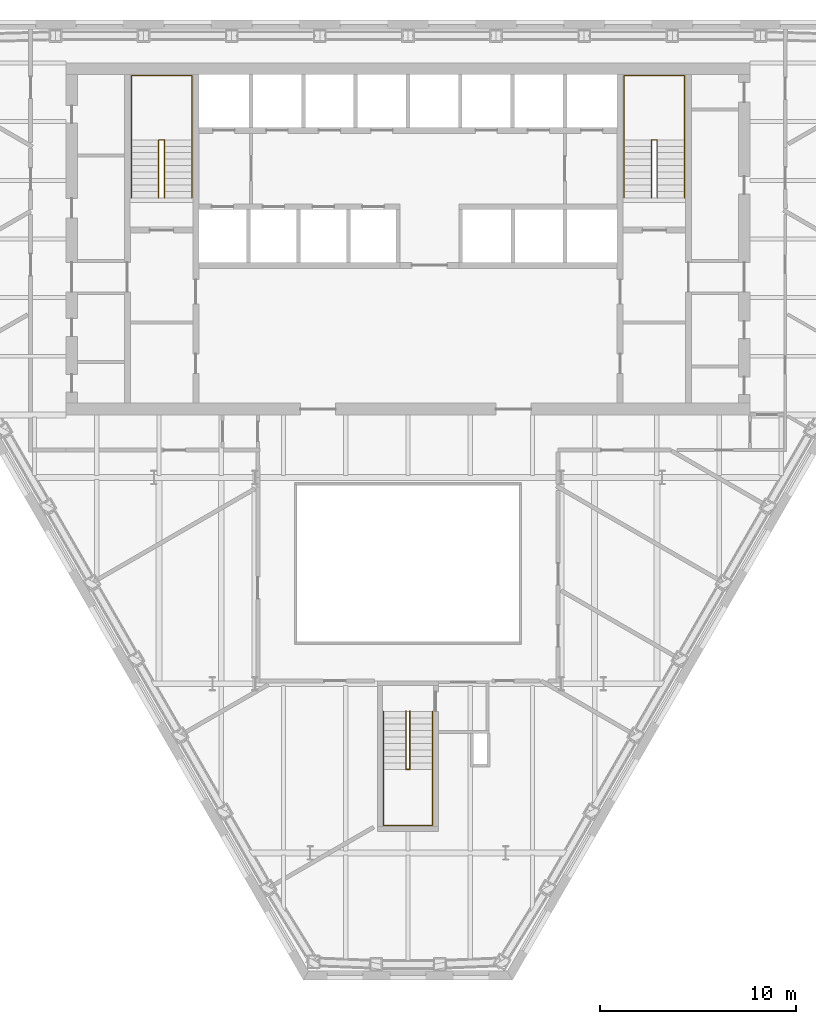
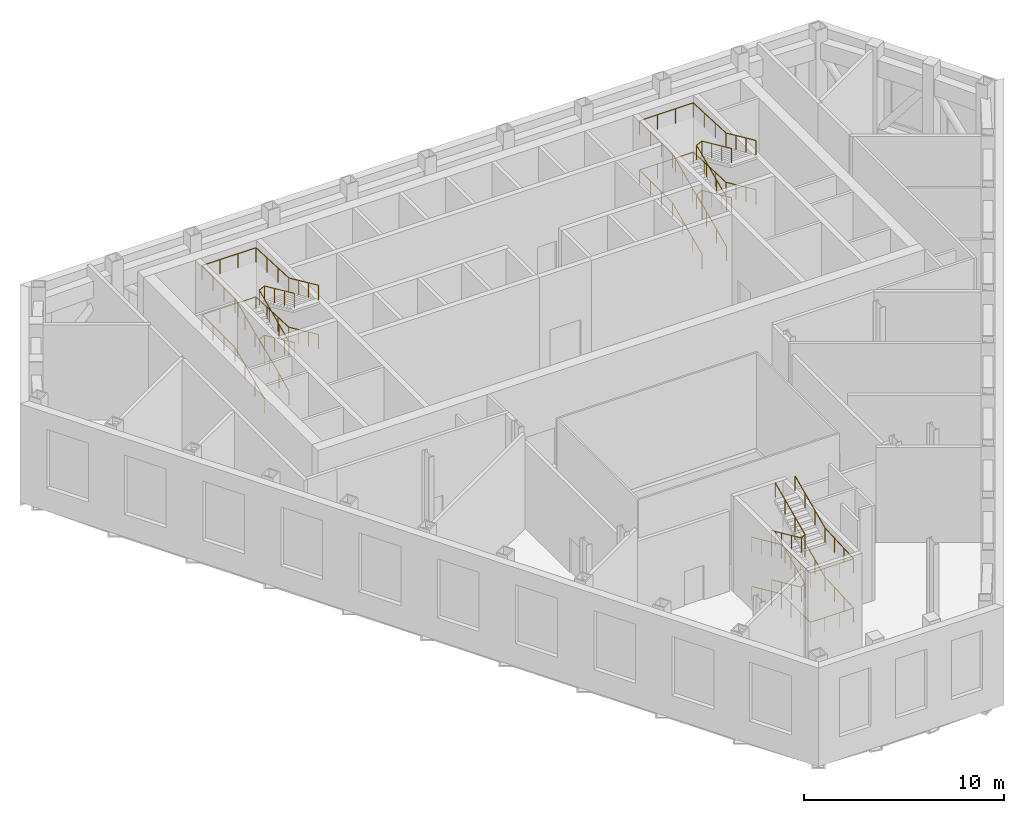
# One storey, part 14 of 14: 12 railings.
"""IFC4 building model written with IfcOpenShell, lengths in metres."""

from ifc_helpers import new_model, si_unit, direction, frame, origin, origin_2d, place, context, subcontext, project, spatial, circle, extrude, material, type_object, element, save


model = new_model("IFC4")

# Units and contexts
model_context = context("Model", 3, precision=1e-05, world=origin(), true_north=direction((0.0, 1.0)))
body_context = subcontext(model_context, "Body", "Model", "MODEL_VIEW")
ifc_project = project(units=[si_unit("LENGTHUNIT", "METRE"), si_unit("AREAUNIT", "SQUARE_METRE"), si_unit("VOLUMEUNIT", "CUBIC_METRE"), si_unit("PLANEANGLEUNIT", "RADIAN"), si_unit("MASSUNIT", "GRAM", prefix="KILO")], contexts=[model_context])

# Site, building, storey
site_placement = place(None, origin())
site = spatial("IfcSite", under=ifc_project, at=site_placement, CompositionType="ELEMENT")
building_placement = place(site_placement, origin())
building = spatial("IfcBuilding", under=site, at=building_placement, Name="Njiva Tower", CompositionType="ELEMENT")
storey_placement = place(building_placement, frame((0.0, 0.0, 78.3)))
storey = spatial("IfcBuildingStorey", under=building, at=storey_placement, Name="L16", CompositionType="ELEMENT", Elevation=78.3)

# Railings
ifc_material = material(Name="Stainless steel", Category="steel")
railing_type = type_object("IfcRailingType", Name="RL1 Stair handrail 900", PredefinedType="HANDRAIL", material=ifc_material)
railing_1_placement = place(storey_placement, frame((-14.15, 11.1, 0.15)))
element("IfcRailing", 1, at=railing_1_placement, inside=storey, type_object=railing_type, Name="Stair A handrail", PredefinedType="HANDRAIL", context=body_context, shape_type="SweptSolid", body=[
    extrude(circle(Radius=0.024, at=origin_2d()), frame((0.0, 0.0, 0.876), z_axis=(0.0, 0.910366477463, 0.413802944301), x_axis=(-1.0, 0.0, 0.0)), (0.0, 0.0, 1.0), 3.2624),
    extrude(circle(Radius=0.024, at=origin_2d()), frame((0.0, 2.97, 2.226), z_axis=(0.0, 1.0, 0.0), x_axis=(-1.0, 0.0, 0.0)), (0.0, 0.0, 1.0), 3.28),
    extrude(circle(Radius=0.024, at=origin_2d()), frame((0.0, 6.25, 2.226), z_axis=(1.0, 0.0, 0.0), x_axis=(0.0, 1.0, 0.0)), (0.0, 0.0, 1.0), 3.1),
    extrude(circle(Radius=0.024, at=origin_2d()), frame((3.1, 6.25, 2.226), z_axis=(0.0, -0.998955942835, 0.0456839608), x_axis=(1.0, 0.0, 0.0)), (0.0, 0.0, 1.0), 3.2834),
    extrude(circle(Radius=0.024, at=origin_2d()), frame((3.1, 2.97, 2.376), z_axis=(0.0, -0.910366477463, 0.413802944301), x_axis=(1.0, 0.0, 0.0)), (0.0, 0.0, 1.0), 3.2624),
    extrude(circle(Radius=0.021, at=origin_2d()), origin(), (0.0, 0.0, 1.0), 0.852),
    extrude(circle(Radius=0.021, at=origin_2d()), frame((0.0, 0.99, 0.45)), (0.0, 0.0, 1.0), 0.852),
    extrude(circle(Radius=0.021, at=origin_2d()), frame((0.0, 1.98, 0.9)), (0.0, 0.0, 1.0), 0.852),
    extrude(circle(Radius=0.021, at=origin_2d()), frame((0.0, 2.97, 1.35)), (0.0, 0.0, 1.0), 0.852),
    extrude(circle(Radius=0.021, at=origin_2d()), frame((0.0, 4.0633, 1.35)), (0.0, 0.0, 1.0), 0.852),
    extrude(circle(Radius=0.021, at=origin_2d()), frame((0.0, 5.1567, 1.35)), (0.0, 0.0, 1.0), 0.852),
    extrude(circle(Radius=0.021, at=origin_2d()), frame((0.0, 6.25, 1.35)), (0.0, 0.0, 1.0), 0.852),
    extrude(circle(Radius=0.021, at=origin_2d()), frame((1.0333, 6.25, 1.35)), (0.0, 0.0, 1.0), 0.852),
    extrude(circle(Radius=0.021, at=origin_2d()), frame((2.0667, 6.25, 1.35)), (0.0, 0.0, 1.0), 0.852),
    extrude(circle(Radius=0.021, at=origin_2d()), frame((3.1, 6.25, 1.35)), (0.0, 0.0, 1.0), 0.852),
    extrude(circle(Radius=0.021, at=origin_2d()), frame((3.1, 5.1567, 1.4)), (0.0, 0.0, 1.0), 0.852),
    extrude(circle(Radius=0.021, at=origin_2d()), frame((3.1, 4.0633, 1.45)), (0.0, 0.0, 1.0), 0.852),
    extrude(circle(Radius=0.021, at=origin_2d()), frame((3.1, 2.97, 1.5)), (0.0, 0.0, 1.0), 0.852),
    extrude(circle(Radius=0.021, at=origin_2d()), frame((3.1, 1.98, 1.95)), (0.0, 0.0, 1.0), 0.852),
    extrude(circle(Radius=0.021, at=origin_2d()), frame((3.1, 0.99, 2.4)), (0.0, 0.0, 1.0), 0.852),
    extrude(circle(Radius=0.021, at=origin_2d()), frame((3.1, 0.0, 2.85)), (0.0, 0.0, 1.0), 0.852),
])
railing_2_placement = place(storey_placement, frame((-12.75, 11.1, 0.15)))
element("IfcRailing", 2, at=railing_2_placement, inside=storey, type_object=railing_type, Name="Stair A handrail", PredefinedType="HANDRAIL", context=body_context, shape_type="SweptSolid", body=[
    extrude(circle(Radius=0.024, at=origin_2d()), frame((0.0, 0.0, 0.876), z_axis=(0.0, 0.910366477463, 0.413802944301), x_axis=(-1.0, 0.0, 0.0)), (0.0, 0.0, 1.0), 3.2624),
    extrude(circle(Radius=0.024, at=origin_2d()), frame((0.0, 2.97, 2.226), z_axis=(0.894427191, 0.0, 0.4472135955), x_axis=(0.0, 1.0, 0.0)), (0.0, 0.0, 1.0), 0.3354),
    extrude(circle(Radius=0.024, at=origin_2d()), frame((0.3, 2.97, 2.376), z_axis=(0.0, -0.910366477463, 0.413802944301), x_axis=(1.0, 0.0, 0.0)), (0.0, 0.0, 1.0), 3.2624),
    extrude(circle(Radius=0.021, at=origin_2d()), origin(), (0.0, 0.0, 1.0), 0.852),
    extrude(circle(Radius=0.021, at=origin_2d()), frame((0.0, 0.99, 0.45)), (0.0, 0.0, 1.0), 0.852),
    extrude(circle(Radius=0.021, at=origin_2d()), frame((0.0, 1.98, 0.9)), (0.0, 0.0, 1.0), 0.852),
    extrude(circle(Radius=0.021, at=origin_2d()), frame((0.0, 2.97, 1.35)), (0.0, 0.0, 1.0), 0.852),
    extrude(circle(Radius=0.021, at=origin_2d()), frame((0.3, 2.97, 1.5)), (0.0, 0.0, 1.0), 0.852),
    extrude(circle(Radius=0.021, at=origin_2d()), frame((0.3, 1.98, 1.95)), (0.0, 0.0, 1.0), 0.852),
    extrude(circle(Radius=0.021, at=origin_2d()), frame((0.3, 0.99, 2.4)), (0.0, 0.0, 1.0), 0.852),
    extrude(circle(Radius=0.021, at=origin_2d()), frame((0.3, 0.0, 2.85)), (0.0, 0.0, 1.0), 0.852),
])
railing_3_placement = place(storey_placement, frame((-14.15, 11.1, 3.15)))
element("IfcRailing", 3, at=railing_3_placement, inside=storey, type_object=railing_type, Name="Stair A handrail", PredefinedType="HANDRAIL", context=body_context, shape_type="SweptSolid", body=[
    extrude(circle(Radius=0.024, at=origin_2d()), frame((0.0, 0.0, 0.876), z_axis=(0.0, 0.910366477463, 0.413802944301), x_axis=(-1.0, 0.0, 0.0)), (0.0, 0.0, 1.0), 3.2624),
    extrude(circle(Radius=0.024, at=origin_2d()), frame((0.0, 2.97, 2.226), z_axis=(0.0, 1.0, 0.0), x_axis=(-1.0, 0.0, 0.0)), (0.0, 0.0, 1.0), 3.28),
    extrude(circle(Radius=0.024, at=origin_2d()), frame((0.0, 6.25, 2.226), z_axis=(1.0, 0.0, 0.0), x_axis=(0.0, 1.0, 0.0)), (0.0, 0.0, 1.0), 3.1),
    extrude(circle(Radius=0.024, at=origin_2d()), frame((3.1, 6.25, 2.226), z_axis=(0.0, -0.998955942835, 0.0456839608), x_axis=(1.0, 0.0, 0.0)), (0.0, 0.0, 1.0), 3.2834),
    extrude(circle(Radius=0.024, at=origin_2d()), frame((3.1, 2.97, 2.376), z_axis=(0.0, -0.910366477463, 0.413802944301), x_axis=(1.0, 0.0, 0.0)), (0.0, 0.0, 1.0), 3.2624),
    extrude(circle(Radius=0.021, at=origin_2d()), origin(), (0.0, 0.0, 1.0), 0.852),
    extrude(circle(Radius=0.021, at=origin_2d()), frame((0.0, 0.99, 0.45)), (0.0, 0.0, 1.0), 0.852),
    extrude(circle(Radius=0.021, at=origin_2d()), frame((0.0, 1.98, 0.9)), (0.0, 0.0, 1.0), 0.852),
    extrude(circle(Radius=0.021, at=origin_2d()), frame((0.0, 2.97, 1.35)), (0.0, 0.0, 1.0), 0.852),
    extrude(circle(Radius=0.021, at=origin_2d()), frame((0.0, 4.0633, 1.35)), (0.0, 0.0, 1.0), 0.852),
    extrude(circle(Radius=0.021, at=origin_2d()), frame((0.0, 5.1567, 1.35)), (0.0, 0.0, 1.0), 0.852),
    extrude(circle(Radius=0.021, at=origin_2d()), frame((0.0, 6.25, 1.35)), (0.0, 0.0, 1.0), 0.852),
    extrude(circle(Radius=0.021, at=origin_2d()), frame((1.0333, 6.25, 1.35)), (0.0, 0.0, 1.0), 0.852),
    extrude(circle(Radius=0.021, at=origin_2d()), frame((2.0667, 6.25, 1.35)), (0.0, 0.0, 1.0), 0.852),
    extrude(circle(Radius=0.021, at=origin_2d()), frame((3.1, 6.25, 1.35)), (0.0, 0.0, 1.0), 0.852),
    extrude(circle(Radius=0.021, at=origin_2d()), frame((3.1, 5.1567, 1.4)), (0.0, 0.0, 1.0), 0.852),
    extrude(circle(Radius=0.021, at=origin_2d()), frame((3.1, 4.0633, 1.45)), (0.0, 0.0, 1.0), 0.852),
    extrude(circle(Radius=0.021, at=origin_2d()), frame((3.1, 2.97, 1.5)), (0.0, 0.0, 1.0), 0.852),
    extrude(circle(Radius=0.021, at=origin_2d()), frame((3.1, 1.98, 1.95)), (0.0, 0.0, 1.0), 0.852),
    extrude(circle(Radius=0.021, at=origin_2d()), frame((3.1, 0.99, 2.4)), (0.0, 0.0, 1.0), 0.852),
    extrude(circle(Radius=0.021, at=origin_2d()), frame((3.1, 0.0, 2.85)), (0.0, 0.0, 1.0), 0.852),
])
railing_4_placement = place(storey_placement, frame((-12.75, 11.1, 3.15)))
element("IfcRailing", 4, at=railing_4_placement, inside=storey, type_object=railing_type, Name="Stair A handrail", PredefinedType="HANDRAIL", context=body_context, shape_type="SweptSolid", body=[
    extrude(circle(Radius=0.024, at=origin_2d()), frame((0.0, 0.0, 0.876), z_axis=(0.0, 0.910366477463, 0.413802944301), x_axis=(-1.0, 0.0, 0.0)), (0.0, 0.0, 1.0), 3.2624),
    extrude(circle(Radius=0.024, at=origin_2d()), frame((0.0, 2.97, 2.226), z_axis=(0.894427191, 0.0, 0.4472135955), x_axis=(0.0, 1.0, 0.0)), (0.0, 0.0, 1.0), 0.3354),
    extrude(circle(Radius=0.024, at=origin_2d()), frame((0.3, 2.97, 2.376), z_axis=(0.0, -0.910366477463, 0.413802944301), x_axis=(1.0, 0.0, 0.0)), (0.0, 0.0, 1.0), 3.2624),
    extrude(circle(Radius=0.021, at=origin_2d()), origin(), (0.0, 0.0, 1.0), 0.852),
    extrude(circle(Radius=0.021, at=origin_2d()), frame((0.0, 0.99, 0.45)), (0.0, 0.0, 1.0), 0.852),
    extrude(circle(Radius=0.021, at=origin_2d()), frame((0.0, 1.98, 0.9)), (0.0, 0.0, 1.0), 0.852),
    extrude(circle(Radius=0.021, at=origin_2d()), frame((0.0, 2.97, 1.35)), (0.0, 0.0, 1.0), 0.852),
    extrude(circle(Radius=0.021, at=origin_2d()), frame((0.3, 2.97, 1.5)), (0.0, 0.0, 1.0), 0.852),
    extrude(circle(Radius=0.021, at=origin_2d()), frame((0.3, 1.98, 1.95)), (0.0, 0.0, 1.0), 0.852),
    extrude(circle(Radius=0.021, at=origin_2d()), frame((0.3, 0.99, 2.4)), (0.0, 0.0, 1.0), 0.852),
    extrude(circle(Radius=0.021, at=origin_2d()), frame((0.3, 0.0, 2.85)), (0.0, 0.0, 1.0), 0.852),
])
railing_5_placement = place(storey_placement, frame((11.05, 11.1, 0.15)))
element("IfcRailing", 5, at=railing_5_placement, inside=storey, type_object=railing_type, Name="Stair B handrail", PredefinedType="HANDRAIL", context=body_context, shape_type="SweptSolid", body=[
    extrude(circle(Radius=0.024, at=origin_2d()), frame((0.0, 0.0, 0.876), z_axis=(0.0, 0.910366477463, 0.413802944301), x_axis=(-1.0, 0.0, 0.0)), (0.0, 0.0, 1.0), 3.2624),
    extrude(circle(Radius=0.024, at=origin_2d()), frame((0.0, 2.97, 2.226), z_axis=(0.0, 1.0, 0.0), x_axis=(-1.0, 0.0, 0.0)), (0.0, 0.0, 1.0), 3.28),
    extrude(circle(Radius=0.024, at=origin_2d()), frame((0.0, 6.25, 2.226), z_axis=(1.0, 0.0, 0.0), x_axis=(0.0, 1.0, 0.0)), (0.0, 0.0, 1.0), 3.1),
    extrude(circle(Radius=0.024, at=origin_2d()), frame((3.1, 6.25, 2.226), z_axis=(0.0, -0.998955942835, 0.0456839608), x_axis=(1.0, 0.0, 0.0)), (0.0, 0.0, 1.0), 3.2834),
    extrude(circle(Radius=0.024, at=origin_2d()), frame((3.1, 2.97, 2.376), z_axis=(0.0, -0.910366477463, 0.413802944301), x_axis=(1.0, 0.0, 0.0)), (0.0, 0.0, 1.0), 3.2624),
    extrude(circle(Radius=0.021, at=origin_2d()), origin(), (0.0, 0.0, 1.0), 0.852),
    extrude(circle(Radius=0.021, at=origin_2d()), frame((0.0, 0.99, 0.45)), (0.0, 0.0, 1.0), 0.852),
    extrude(circle(Radius=0.021, at=origin_2d()), frame((0.0, 1.98, 0.9)), (0.0, 0.0, 1.0), 0.852),
    extrude(circle(Radius=0.021, at=origin_2d()), frame((0.0, 2.97, 1.35)), (0.0, 0.0, 1.0), 0.852),
    extrude(circle(Radius=0.021, at=origin_2d()), frame((0.0, 4.0633, 1.35)), (0.0, 0.0, 1.0), 0.852),
    extrude(circle(Radius=0.021, at=origin_2d()), frame((0.0, 5.1567, 1.35)), (0.0, 0.0, 1.0), 0.852),
    extrude(circle(Radius=0.021, at=origin_2d()), frame((0.0, 6.25, 1.35)), (0.0, 0.0, 1.0), 0.852),
    extrude(circle(Radius=0.021, at=origin_2d()), frame((1.0333, 6.25, 1.35)), (0.0, 0.0, 1.0), 0.852),
    extrude(circle(Radius=0.021, at=origin_2d()), frame((2.0667, 6.25, 1.35)), (0.0, 0.0, 1.0), 0.852),
    extrude(circle(Radius=0.021, at=origin_2d()), frame((3.1, 6.25, 1.35)), (0.0, 0.0, 1.0), 0.852),
    extrude(circle(Radius=0.021, at=origin_2d()), frame((3.1, 5.1567, 1.4)), (0.0, 0.0, 1.0), 0.852),
    extrude(circle(Radius=0.021, at=origin_2d()), frame((3.1, 4.0633, 1.45)), (0.0, 0.0, 1.0), 0.852),
    extrude(circle(Radius=0.021, at=origin_2d()), frame((3.1, 2.97, 1.5)), (0.0, 0.0, 1.0), 0.852),
    extrude(circle(Radius=0.021, at=origin_2d()), frame((3.1, 1.98, 1.95)), (0.0, 0.0, 1.0), 0.852),
    extrude(circle(Radius=0.021, at=origin_2d()), frame((3.1, 0.99, 2.4)), (0.0, 0.0, 1.0), 0.852),
    extrude(circle(Radius=0.021, at=origin_2d()), frame((3.1, 0.0, 2.85)), (0.0, 0.0, 1.0), 0.852),
])
railing_6_placement = place(storey_placement, frame((12.45, 11.1, 0.15)))
element("IfcRailing", 6, at=railing_6_placement, inside=storey, type_object=railing_type, Name="Stair B handrail", PredefinedType="HANDRAIL", context=body_context, shape_type="SweptSolid", body=[
    extrude(circle(Radius=0.024, at=origin_2d()), frame((0.0, 0.0, 0.876), z_axis=(0.0, 0.910366477463, 0.413802944301), x_axis=(-1.0, 0.0, 0.0)), (0.0, 0.0, 1.0), 3.2624),
    extrude(circle(Radius=0.024, at=origin_2d()), frame((0.0, 2.97, 2.226), z_axis=(0.894427191, 0.0, 0.4472135955), x_axis=(0.0, 1.0, 0.0)), (0.0, 0.0, 1.0), 0.3354),
    extrude(circle(Radius=0.024, at=origin_2d()), frame((0.3, 2.97, 2.376), z_axis=(0.0, -0.910366477463, 0.413802944301), x_axis=(1.0, 0.0, 0.0)), (0.0, 0.0, 1.0), 3.2624),
    extrude(circle(Radius=0.021, at=origin_2d()), origin(), (0.0, 0.0, 1.0), 0.852),
    extrude(circle(Radius=0.021, at=origin_2d()), frame((0.0, 0.99, 0.45)), (0.0, 0.0, 1.0), 0.852),
    extrude(circle(Radius=0.021, at=origin_2d()), frame((0.0, 1.98, 0.9)), (0.0, 0.0, 1.0), 0.852),
    extrude(circle(Radius=0.021, at=origin_2d()), frame((0.0, 2.97, 1.35)), (0.0, 0.0, 1.0), 0.852),
    extrude(circle(Radius=0.021, at=origin_2d()), frame((0.3, 2.97, 1.5)), (0.0, 0.0, 1.0), 0.852),
    extrude(circle(Radius=0.021, at=origin_2d()), frame((0.3, 1.98, 1.95)), (0.0, 0.0, 1.0), 0.852),
    extrude(circle(Radius=0.021, at=origin_2d()), frame((0.3, 0.99, 2.4)), (0.0, 0.0, 1.0), 0.852),
    extrude(circle(Radius=0.021, at=origin_2d()), frame((0.3, 0.0, 2.85)), (0.0, 0.0, 1.0), 0.852),
])
railing_7_placement = place(storey_placement, frame((11.05, 11.1, 3.15)))
element("IfcRailing", 7, at=railing_7_placement, inside=storey, type_object=railing_type, Name="Stair B handrail", PredefinedType="HANDRAIL", context=body_context, shape_type="SweptSolid", body=[
    extrude(circle(Radius=0.024, at=origin_2d()), frame((0.0, 0.0, 0.876), z_axis=(0.0, 0.910366477463, 0.413802944301), x_axis=(-1.0, 0.0, 0.0)), (0.0, 0.0, 1.0), 3.2624),
    extrude(circle(Radius=0.024, at=origin_2d()), frame((0.0, 2.97, 2.226), z_axis=(0.0, 1.0, 0.0), x_axis=(-1.0, 0.0, 0.0)), (0.0, 0.0, 1.0), 3.28),
    extrude(circle(Radius=0.024, at=origin_2d()), frame((0.0, 6.25, 2.226), z_axis=(1.0, 0.0, 0.0), x_axis=(0.0, 1.0, 0.0)), (0.0, 0.0, 1.0), 3.1),
    extrude(circle(Radius=0.024, at=origin_2d()), frame((3.1, 6.25, 2.226), z_axis=(0.0, -0.998955942835, 0.0456839608), x_axis=(1.0, 0.0, 0.0)), (0.0, 0.0, 1.0), 3.2834),
    extrude(circle(Radius=0.024, at=origin_2d()), frame((3.1, 2.97, 2.376), z_axis=(0.0, -0.910366477463, 0.413802944301), x_axis=(1.0, 0.0, 0.0)), (0.0, 0.0, 1.0), 3.2624),
    extrude(circle(Radius=0.021, at=origin_2d()), origin(), (0.0, 0.0, 1.0), 0.852),
    extrude(circle(Radius=0.021, at=origin_2d()), frame((0.0, 0.99, 0.45)), (0.0, 0.0, 1.0), 0.852),
    extrude(circle(Radius=0.021, at=origin_2d()), frame((0.0, 1.98, 0.9)), (0.0, 0.0, 1.0), 0.852),
    extrude(circle(Radius=0.021, at=origin_2d()), frame((0.0, 2.97, 1.35)), (0.0, 0.0, 1.0), 0.852),
    extrude(circle(Radius=0.021, at=origin_2d()), frame((0.0, 4.0633, 1.35)), (0.0, 0.0, 1.0), 0.852),
    extrude(circle(Radius=0.021, at=origin_2d()), frame((0.0, 5.1567, 1.35)), (0.0, 0.0, 1.0), 0.852),
    extrude(circle(Radius=0.021, at=origin_2d()), frame((0.0, 6.25, 1.35)), (0.0, 0.0, 1.0), 0.852),
    extrude(circle(Radius=0.021, at=origin_2d()), frame((1.0333, 6.25, 1.35)), (0.0, 0.0, 1.0), 0.852),
    extrude(circle(Radius=0.021, at=origin_2d()), frame((2.0667, 6.25, 1.35)), (0.0, 0.0, 1.0), 0.852),
    extrude(circle(Radius=0.021, at=origin_2d()), frame((3.1, 6.25, 1.35)), (0.0, 0.0, 1.0), 0.852),
    extrude(circle(Radius=0.021, at=origin_2d()), frame((3.1, 5.1567, 1.4)), (0.0, 0.0, 1.0), 0.852),
    extrude(circle(Radius=0.021, at=origin_2d()), frame((3.1, 4.0633, 1.45)), (0.0, 0.0, 1.0), 0.852),
    extrude(circle(Radius=0.021, at=origin_2d()), frame((3.1, 2.97, 1.5)), (0.0, 0.0, 1.0), 0.852),
    extrude(circle(Radius=0.021, at=origin_2d()), frame((3.1, 1.98, 1.95)), (0.0, 0.0, 1.0), 0.852),
    extrude(circle(Radius=0.021, at=origin_2d()), frame((3.1, 0.99, 2.4)), (0.0, 0.0, 1.0), 0.852),
    extrude(circle(Radius=0.021, at=origin_2d()), frame((3.1, 0.0, 2.85)), (0.0, 0.0, 1.0), 0.852),
])
railing_8_placement = place(storey_placement, frame((12.45, 11.1, 3.15)))
element("IfcRailing", 8, at=railing_8_placement, inside=storey, type_object=railing_type, Name="Stair B handrail", PredefinedType="HANDRAIL", context=body_context, shape_type="SweptSolid", body=[
    extrude(circle(Radius=0.024, at=origin_2d()), frame((0.0, 0.0, 0.876), z_axis=(0.0, 0.910366477463, 0.413802944301), x_axis=(-1.0, 0.0, 0.0)), (0.0, 0.0, 1.0), 3.2624),
    extrude(circle(Radius=0.024, at=origin_2d()), frame((0.0, 2.97, 2.226), z_axis=(0.894427191, 0.0, 0.4472135955), x_axis=(0.0, 1.0, 0.0)), (0.0, 0.0, 1.0), 0.3354),
    extrude(circle(Radius=0.024, at=origin_2d()), frame((0.3, 2.97, 2.376), z_axis=(0.0, -0.910366477463, 0.413802944301), x_axis=(1.0, 0.0, 0.0)), (0.0, 0.0, 1.0), 3.2624),
    extrude(circle(Radius=0.021, at=origin_2d()), origin(), (0.0, 0.0, 1.0), 0.852),
    extrude(circle(Radius=0.021, at=origin_2d()), frame((0.0, 0.99, 0.45)), (0.0, 0.0, 1.0), 0.852),
    extrude(circle(Radius=0.021, at=origin_2d()), frame((0.0, 1.98, 0.9)), (0.0, 0.0, 1.0), 0.852),
    extrude(circle(Radius=0.021, at=origin_2d()), frame((0.0, 2.97, 1.35)), (0.0, 0.0, 1.0), 0.852),
    extrude(circle(Radius=0.021, at=origin_2d()), frame((0.3, 2.97, 1.5)), (0.0, 0.0, 1.0), 0.852),
    extrude(circle(Radius=0.021, at=origin_2d()), frame((0.3, 1.98, 1.95)), (0.0, 0.0, 1.0), 0.852),
    extrude(circle(Radius=0.021, at=origin_2d()), frame((0.3, 0.99, 2.4)), (0.0, 0.0, 1.0), 0.852),
    extrude(circle(Radius=0.021, at=origin_2d()), frame((0.3, 0.0, 2.85)), (0.0, 0.0, 1.0), 0.852),
])
railing_9_placement = place(storey_placement, frame((-1.25, -15.16, 0.15)))
element("IfcRailing", 9, at=railing_9_placement, inside=storey, type_object=railing_type, Name="Stair C handrail", PredefinedType="HANDRAIL", context=body_context, shape_type="SweptSolid", body=[
    extrude(circle(Radius=0.024, at=origin_2d()), frame((0.0, 0.0, 0.876), z_axis=(0.0, -0.910366477463, 0.413802944301), x_axis=(1.0, 0.0, 0.0)), (0.0, 0.0, 1.0), 3.2624),
    extrude(circle(Radius=0.024, at=origin_2d()), frame((0.0, -2.97, 2.226), z_axis=(0.0, -1.0, 0.0), x_axis=(1.0, 0.0, 0.0)), (0.0, 0.0, 1.0), 2.87),
    extrude(circle(Radius=0.024, at=origin_2d()), frame((0.0, -5.84, 2.226), z_axis=(1.0, 0.0, 0.0), x_axis=(0.0, 1.0, 0.0)), (0.0, 0.0, 1.0), 2.5),
    extrude(circle(Radius=0.024, at=origin_2d()), frame((2.5, -5.84, 2.226), z_axis=(0.0, 0.998636986684, 0.052193570733), x_axis=(-1.0, 0.0, 0.0)), (0.0, 0.0, 1.0), 2.8739),
    extrude(circle(Radius=0.024, at=origin_2d()), frame((2.5, -2.97, 2.376), z_axis=(0.0, 0.910366477463, 0.413802944301), x_axis=(-1.0, 0.0, 0.0)), (0.0, 0.0, 1.0), 3.2624),
    extrude(circle(Radius=0.021, at=origin_2d()), origin(), (0.0, 0.0, 1.0), 0.852),
    extrude(circle(Radius=0.021, at=origin_2d()), frame((0.0, -0.99, 0.45)), (0.0, 0.0, 1.0), 0.852),
    extrude(circle(Radius=0.021, at=origin_2d()), frame((0.0, -1.98, 0.9)), (0.0, 0.0, 1.0), 0.852),
    extrude(circle(Radius=0.021, at=origin_2d()), frame((0.0, -2.97, 1.35)), (0.0, 0.0, 1.0), 0.852),
    extrude(circle(Radius=0.021, at=origin_2d()), frame((0.0, -3.9267, 1.35)), (0.0, 0.0, 1.0), 0.852),
    extrude(circle(Radius=0.021, at=origin_2d()), frame((0.0, -4.8833, 1.35)), (0.0, 0.0, 1.0), 0.852),
    extrude(circle(Radius=0.021, at=origin_2d()), frame((0.0, -5.84, 1.35)), (0.0, 0.0, 1.0), 0.852),
    extrude(circle(Radius=0.021, at=origin_2d()), frame((0.8333, -5.84, 1.35)), (0.0, 0.0, 1.0), 0.852),
    extrude(circle(Radius=0.021, at=origin_2d()), frame((1.6667, -5.84, 1.35)), (0.0, 0.0, 1.0), 0.852),
    extrude(circle(Radius=0.021, at=origin_2d()), frame((2.5, -5.84, 1.35)), (0.0, 0.0, 1.0), 0.852),
    extrude(circle(Radius=0.021, at=origin_2d()), frame((2.5, -4.8833, 1.4)), (0.0, 0.0, 1.0), 0.852),
    extrude(circle(Radius=0.021, at=origin_2d()), frame((2.5, -3.9267, 1.45)), (0.0, 0.0, 1.0), 0.852),
    extrude(circle(Radius=0.021, at=origin_2d()), frame((2.5, -2.97, 1.5)), (0.0, 0.0, 1.0), 0.852),
    extrude(circle(Radius=0.021, at=origin_2d()), frame((2.5, -1.98, 1.95)), (0.0, 0.0, 1.0), 0.852),
    extrude(circle(Radius=0.021, at=origin_2d()), frame((2.5, -0.99, 2.4)), (0.0, 0.0, 1.0), 0.852),
    extrude(circle(Radius=0.021, at=origin_2d()), frame((2.5, 0.0, 2.85)), (0.0, 0.0, 1.0), 0.852),
])
railing_10_placement = place(storey_placement, frame((-0.1, -15.16, 0.15)))
element("IfcRailing", 10, at=railing_10_placement, inside=storey, type_object=railing_type, Name="Stair C handrail", PredefinedType="HANDRAIL", context=body_context, shape_type="SweptSolid", body=[
    extrude(circle(Radius=0.024, at=origin_2d()), frame((0.0, 0.0, 0.876), z_axis=(0.0, -0.910366477463, 0.413802944301), x_axis=(1.0, 0.0, 0.0)), (0.0, 0.0, 1.0), 3.2624),
    extrude(circle(Radius=0.024, at=origin_2d()), frame((0.0, -2.97, 2.226), z_axis=(0.8, 0.0, 0.6), x_axis=(0.0, 1.0, 0.0)), (0.0, 0.0, 1.0), 0.25),
    extrude(circle(Radius=0.024, at=origin_2d()), frame((0.2, -2.97, 2.376), z_axis=(0.0, 0.910366477463, 0.413802944301), x_axis=(-1.0, 0.0, 0.0)), (0.0, 0.0, 1.0), 3.2624),
    extrude(circle(Radius=0.021, at=origin_2d()), origin(), (0.0, 0.0, 1.0), 0.852),
    extrude(circle(Radius=0.021, at=origin_2d()), frame((0.0, -0.99, 0.45)), (0.0, 0.0, 1.0), 0.852),
    extrude(circle(Radius=0.021, at=origin_2d()), frame((0.0, -1.98, 0.9)), (0.0, 0.0, 1.0), 0.852),
    extrude(circle(Radius=0.021, at=origin_2d()), frame((0.0, -2.97, 1.35)), (0.0, 0.0, 1.0), 0.852),
    extrude(circle(Radius=0.021, at=origin_2d()), frame((0.2, -2.97, 1.5)), (0.0, 0.0, 1.0), 0.852),
    extrude(circle(Radius=0.021, at=origin_2d()), frame((0.2, -1.98, 1.95)), (0.0, 0.0, 1.0), 0.852),
    extrude(circle(Radius=0.021, at=origin_2d()), frame((0.2, -0.99, 2.4)), (0.0, 0.0, 1.0), 0.852),
    extrude(circle(Radius=0.021, at=origin_2d()), frame((0.2, 0.0, 2.85)), (0.0, 0.0, 1.0), 0.852),
])
railing_11_placement = place(storey_placement, frame((-1.25, -15.16, 3.15)))
element("IfcRailing", 11, at=railing_11_placement, inside=storey, type_object=railing_type, Name="Stair C handrail", PredefinedType="HANDRAIL", context=body_context, shape_type="SweptSolid", body=[
    extrude(circle(Radius=0.024, at=origin_2d()), frame((0.0, 0.0, 0.876), z_axis=(0.0, -0.910366477463, 0.413802944301), x_axis=(1.0, 0.0, 0.0)), (0.0, 0.0, 1.0), 3.2624),
    extrude(circle(Radius=0.024, at=origin_2d()), frame((0.0, -2.97, 2.226), z_axis=(0.0, -1.0, 0.0), x_axis=(1.0, 0.0, 0.0)), (0.0, 0.0, 1.0), 2.87),
    extrude(circle(Radius=0.024, at=origin_2d()), frame((0.0, -5.84, 2.226), z_axis=(1.0, 0.0, 0.0), x_axis=(0.0, 1.0, 0.0)), (0.0, 0.0, 1.0), 2.5),
    extrude(circle(Radius=0.024, at=origin_2d()), frame((2.5, -5.84, 2.226), z_axis=(0.0, 0.998636986684, 0.052193570733), x_axis=(-1.0, 0.0, 0.0)), (0.0, 0.0, 1.0), 2.8739),
    extrude(circle(Radius=0.024, at=origin_2d()), frame((2.5, -2.97, 2.376), z_axis=(0.0, 0.910366477463, 0.413802944301), x_axis=(-1.0, 0.0, 0.0)), (0.0, 0.0, 1.0), 3.2624),
    extrude(circle(Radius=0.021, at=origin_2d()), origin(), (0.0, 0.0, 1.0), 0.852),
    extrude(circle(Radius=0.021, at=origin_2d()), frame((0.0, -0.99, 0.45)), (0.0, 0.0, 1.0), 0.852),
    extrude(circle(Radius=0.021, at=origin_2d()), frame((0.0, -1.98, 0.9)), (0.0, 0.0, 1.0), 0.852),
    extrude(circle(Radius=0.021, at=origin_2d()), frame((0.0, -2.97, 1.35)), (0.0, 0.0, 1.0), 0.852),
    extrude(circle(Radius=0.021, at=origin_2d()), frame((0.0, -3.9267, 1.35)), (0.0, 0.0, 1.0), 0.852),
    extrude(circle(Radius=0.021, at=origin_2d()), frame((0.0, -4.8833, 1.35)), (0.0, 0.0, 1.0), 0.852),
    extrude(circle(Radius=0.021, at=origin_2d()), frame((0.0, -5.84, 1.35)), (0.0, 0.0, 1.0), 0.852),
    extrude(circle(Radius=0.021, at=origin_2d()), frame((0.8333, -5.84, 1.35)), (0.0, 0.0, 1.0), 0.852),
    extrude(circle(Radius=0.021, at=origin_2d()), frame((1.6667, -5.84, 1.35)), (0.0, 0.0, 1.0), 0.852),
    extrude(circle(Radius=0.021, at=origin_2d()), frame((2.5, -5.84, 1.35)), (0.0, 0.0, 1.0), 0.852),
    extrude(circle(Radius=0.021, at=origin_2d()), frame((2.5, -4.8833, 1.4)), (0.0, 0.0, 1.0), 0.852),
    extrude(circle(Radius=0.021, at=origin_2d()), frame((2.5, -3.9267, 1.45)), (0.0, 0.0, 1.0), 0.852),
    extrude(circle(Radius=0.021, at=origin_2d()), frame((2.5, -2.97, 1.5)), (0.0, 0.0, 1.0), 0.852),
    extrude(circle(Radius=0.021, at=origin_2d()), frame((2.5, -1.98, 1.95)), (0.0, 0.0, 1.0), 0.852),
    extrude(circle(Radius=0.021, at=origin_2d()), frame((2.5, -0.99, 2.4)), (0.0, 0.0, 1.0), 0.852),
    extrude(circle(Radius=0.021, at=origin_2d()), frame((2.5, 0.0, 2.85)), (0.0, 0.0, 1.0), 0.852),
])
railing_12_placement = place(storey_placement, frame((-0.1, -15.16, 3.15)))
element("IfcRailing", 12, at=railing_12_placement, inside=storey, type_object=railing_type, Name="Stair C handrail", PredefinedType="HANDRAIL", context=body_context, shape_type="SweptSolid", body=[
    extrude(circle(Radius=0.024, at=origin_2d()), frame((0.0, 0.0, 0.876), z_axis=(0.0, -0.910366477463, 0.413802944301), x_axis=(1.0, 0.0, 0.0)), (0.0, 0.0, 1.0), 3.2624),
    extrude(circle(Radius=0.024, at=origin_2d()), frame((0.0, -2.97, 2.226), z_axis=(0.8, 0.0, 0.6), x_axis=(0.0, 1.0, 0.0)), (0.0, 0.0, 1.0), 0.25),
    extrude(circle(Radius=0.024, at=origin_2d()), frame((0.2, -2.97, 2.376), z_axis=(0.0, 0.910366477463, 0.413802944301), x_axis=(-1.0, 0.0, 0.0)), (0.0, 0.0, 1.0), 3.2624),
    extrude(circle(Radius=0.021, at=origin_2d()), origin(), (0.0, 0.0, 1.0), 0.852),
    extrude(circle(Radius=0.021, at=origin_2d()), frame((0.0, -0.99, 0.45)), (0.0, 0.0, 1.0), 0.852),
    extrude(circle(Radius=0.021, at=origin_2d()), frame((0.0, -1.98, 0.9)), (0.0, 0.0, 1.0), 0.852),
    extrude(circle(Radius=0.021, at=origin_2d()), frame((0.0, -2.97, 1.35)), (0.0, 0.0, 1.0), 0.852),
    extrude(circle(Radius=0.021, at=origin_2d()), frame((0.2, -2.97, 1.5)), (0.0, 0.0, 1.0), 0.852),
    extrude(circle(Radius=0.021, at=origin_2d()), frame((0.2, -1.98, 1.95)), (0.0, 0.0, 1.0), 0.852),
    extrude(circle(Radius=0.021, at=origin_2d()), frame((0.2, -0.99, 2.4)), (0.0, 0.0, 1.0), 0.852),
    extrude(circle(Radius=0.021, at=origin_2d()), frame((0.2, 0.0, 2.85)), (0.0, 0.0, 1.0), 0.852),
])

save(model, "model.ifc")
